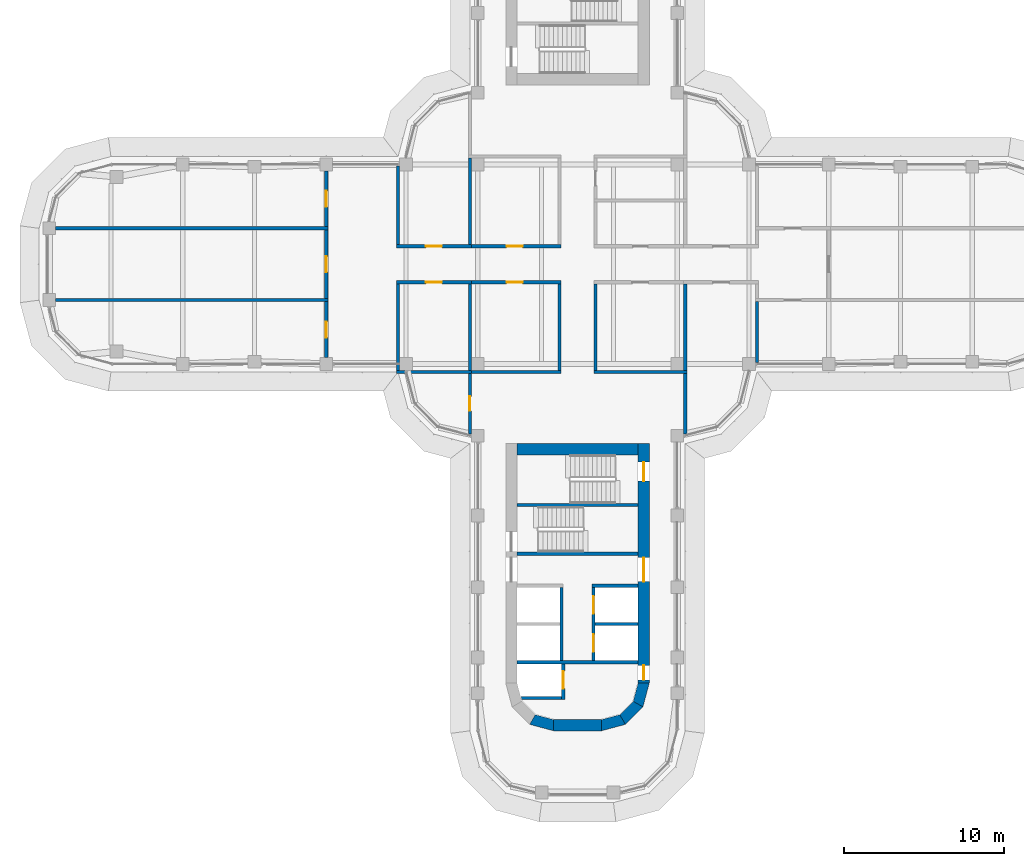
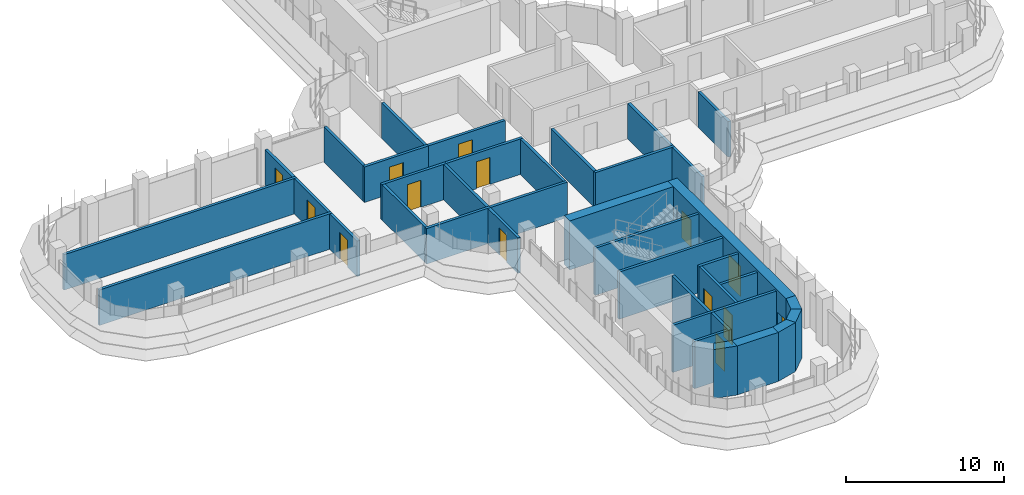
# One storey, part 14 of 20: 38 walls, 14 doors, 14 openings.
"""IFC4 building model written with IfcOpenShell, lengths in metres."""

from ifc_helpers import new_model, si_unit, direction, frame, frame_2d, origin, place, context, subcontext, project, spatial, polyline, rectangle, outline, extrude, material, layer, layer_set, type_object, element, fill, save


model = new_model("IFC4")

# Units and contexts
model_context = context("Model", 3, precision=1e-05, world=origin(), true_north=direction((0.0, 1.0)))
body_context = subcontext(model_context, "Body", "Model", "MODEL_VIEW")
ifc_project = project(units=[si_unit("LENGTHUNIT", "METRE"), si_unit("AREAUNIT", "SQUARE_METRE"), si_unit("VOLUMEUNIT", "CUBIC_METRE"), si_unit("PLANEANGLEUNIT", "RADIAN"), si_unit("MASSUNIT", "GRAM", prefix="KILO")], contexts=[model_context])

# Site, building, storey
site_placement = place(None, origin())
site = spatial("IfcSite", under=ifc_project, at=site_placement, CompositionType="ELEMENT")
building_placement = place(site_placement, origin())
building = spatial("IfcBuilding", under=site, at=building_placement, Name="Zarbagh Exchange Tower", CompositionType="ELEMENT")
storey_placement = place(building_placement, frame((0.0, 0.0, 141.0)))
storey = spatial("IfcBuildingStorey", under=building, at=storey_placement, Name="L33", CompositionType="ELEMENT", Elevation=141.0)

# Wall, opening, door
ifc_material_1 = material(Name="Fire-rated plasterboard partition")
ifc_layer_1 = layer(ifc_material_1, 0.199951171875)
ifc_layer_set_1 = layer_set([ifc_layer_1], Name="RATED PARTITION 200")
wall_type_1 = type_object("IfcWallType", Name="RATED PARTITION 200", PredefinedType="PARTITIONING", material=ifc_layer_set_1)
wall_1_placement = place(storey_placement, frame((-6.85009765625, 1.125, 0.0), z_axis=(0.0, 0.0, 1.0), x_axis=(1.0, 0.0, 0.0)))
wall_1 = element("IfcWall", 1, at=wall_1_placement, inside=storey, type_object=wall_type_1, Name="Partition W-1403", PredefinedType="PARTITIONING", context=body_context, shape_type="SweptSolid", body=[
    extrude(rectangle(XDim=5.8251953125, YDim=0.199951171875, at=frame_2d((2.91259765625, 0.0))), origin(), (0.0, 0.0, 1.0), 2.75),
])
opening_1_placement = place(wall_1_placement, frame((2.41259765625, 0.0, 0.0)))
opening_1 = element("IfcOpeningElement", 2, at=opening_1_placement, cuts=wall_1, Name="Opening D-1407", PredefinedType="OPENING", context=body_context, shape_type="SweptSolid", body=[
    extrude(rectangle(XDim=1.0, YDim=2.10009765625, at=frame_2d((0.5, 1.050048828125))), frame((0.0, 0.10986328125, 0.0), z_axis=(0.0, -1.0, 0.0), x_axis=(1.0, 0.0, 0.0)), (0.0, 0.0, 1.0), 0.219970703125),
])
ifc_material_2 = material(Name="Steel door set", Category="steel")
door_type_1 = type_object("IfcDoorType", Name="FIRE DOOR 1000 X 2100 FD30S", OperationType="NOTDEFINED", PredefinedType="DOOR", material=ifc_material_2)
door_1_placement = place(opening_1_placement, origin())
door_1 = element("IfcDoor", 3, at=door_1_placement, inside=storey, type_object=door_type_1, Name="Door D-1407", OperationType="SINGLE_SWING_RIGHT", OverallHeight=2.10009765625, OverallWidth=1.0, PredefinedType="DOOR", context=body_context, shape_type="SweptSolid", body=[
    extrude(rectangle(XDim=1.0, YDim=2.10009765625, at=frame_2d((0.5, 1.050048828125))), frame((0.0, 0.02490234375, 0.0), z_axis=(0.0, -1.0, 0.0), x_axis=(1.0, 0.0, 0.0)), (0.0, 0.0, 1.0), 0.050048828125),
])
fill(opening_1, door_1)

wall_2_placement = place(storey_placement, frame((-11.35009765625, 1.125, 0.0), z_axis=(0.0, 0.0, 1.0), x_axis=(1.0, 0.0, 0.0)))
wall_2 = element("IfcWall", 4, at=wall_2_placement, inside=storey, type_object=wall_type_1, Name="Partition W-1404", PredefinedType="PARTITIONING", context=body_context, shape_type="SweptSolid", body=[
    extrude(rectangle(XDim=4.7001953125, YDim=0.199951171875, at=frame_2d((2.35009765625, 0.0))), origin(), (0.0, 0.0, 1.0), 2.75),
])
opening_2_placement = place(wall_2_placement, frame((1.85009765625, 0.0, 0.0)))
opening_2 = element("IfcOpeningElement", 5, at=opening_2_placement, cuts=wall_2, Name="Opening D-1408", PredefinedType="OPENING", context=body_context, shape_type="SweptSolid", body=[
    extrude(rectangle(XDim=1.0, YDim=2.10009765625, at=frame_2d((0.5, 1.050048828125))), frame((0.0, 0.10986328125, 0.0), z_axis=(0.0, -1.0, 0.0), x_axis=(1.0, 0.0, 0.0)), (0.0, 0.0, 1.0), 0.219970703125),
])
door_2_placement = place(opening_2_placement, origin())
door_2 = element("IfcDoor", 6, at=door_2_placement, inside=storey, type_object=door_type_1, Name="Door D-1408", OperationType="SINGLE_SWING_RIGHT", OverallHeight=2.10009765625, OverallWidth=1.0, PredefinedType="DOOR", context=body_context, shape_type="SweptSolid", body=[
    extrude(rectangle(XDim=1.0, YDim=2.10009765625, at=frame_2d((0.5, 1.050048828125))), frame((0.0, 0.02490234375, 0.0), z_axis=(0.0, -1.0, 0.0), x_axis=(1.0, 0.0, 0.0)), (0.0, 0.0, 1.0), 0.050048828125),
])
fill(opening_2, door_2)

wall_3_placement = place(storey_placement, frame((-1.02490234375, -1.125, 0.0), z_axis=(0.0, 0.0, 1.0), x_axis=(-1.0, 0.0, 0.0)))
wall_3 = element("IfcWall", 7, at=wall_3_placement, inside=storey, type_object=wall_type_1, Name="Partition W-1407", PredefinedType="PARTITIONING", context=body_context, shape_type="SweptSolid", body=[
    extrude(rectangle(XDim=5.8251953125, YDim=0.199951171875, at=frame_2d((2.91259765625, 0.0))), origin(), (0.0, 0.0, 1.0), 2.75),
])
opening_3_placement = place(wall_3_placement, frame((2.41259765625, 0.0, 0.0)))
opening_3 = element("IfcOpeningElement", 8, at=opening_3_placement, cuts=wall_3, Name="Opening D-1411", PredefinedType="OPENING", context=body_context, shape_type="SweptSolid", body=[
    extrude(rectangle(XDim=1.0, YDim=2.10009765625, at=frame_2d((0.5, 1.050048828125))), frame((0.0, 0.10986328125, 0.0), z_axis=(0.0, -1.0, 0.0), x_axis=(1.0, 0.0, 0.0)), (0.0, 0.0, 1.0), 0.219970703125),
])
door_3_placement = place(opening_3_placement, origin())
door_3 = element("IfcDoor", 9, at=door_3_placement, inside=storey, type_object=door_type_1, Name="Door D-1411", OperationType="SINGLE_SWING_RIGHT", OverallHeight=2.10009765625, OverallWidth=1.0, PredefinedType="DOOR", context=body_context, shape_type="SweptSolid", body=[
    extrude(rectangle(XDim=1.0, YDim=2.10009765625, at=frame_2d((0.5, 1.050048828125))), frame((0.0, 0.02490234375, 0.0), z_axis=(0.0, -1.0, 0.0), x_axis=(1.0, 0.0, 0.0)), (0.0, 0.0, 1.0), 0.050048828125),
])
fill(opening_3, door_3)

wall_4_placement = place(storey_placement, frame((-6.64990234375, -1.125, 0.0), z_axis=(0.0, 0.0, 1.0), x_axis=(-1.0, 0.0, 0.0)))
wall_4 = element("IfcWall", 10, at=wall_4_placement, inside=storey, type_object=wall_type_1, Name="Partition W-1408", PredefinedType="PARTITIONING", context=body_context, shape_type="SweptSolid", body=[
    extrude(rectangle(XDim=4.7001953125, YDim=0.199951171875, at=frame_2d((2.35009765625, 0.0))), origin(), (0.0, 0.0, 1.0), 2.75),
])
opening_4_placement = place(wall_4_placement, frame((1.85009765625, 0.0, 0.0)))
opening_4 = element("IfcOpeningElement", 11, at=opening_4_placement, cuts=wall_4, Name="Opening D-1412", PredefinedType="OPENING", context=body_context, shape_type="SweptSolid", body=[
    extrude(rectangle(XDim=1.0, YDim=2.10009765625, at=frame_2d((0.5, 1.050048828125))), frame((0.0, 0.10986328125, 0.0), z_axis=(0.0, -1.0, 0.0), x_axis=(1.0, 0.0, 0.0)), (0.0, 0.0, 1.0), 0.219970703125),
])
door_4_placement = place(opening_4_placement, origin())
door_4 = element("IfcDoor", 12, at=door_4_placement, inside=storey, type_object=door_type_1, Name="Door D-1412", OperationType="SINGLE_SWING_RIGHT", OverallHeight=2.10009765625, OverallWidth=1.0, PredefinedType="DOOR", context=body_context, shape_type="SweptSolid", body=[
    extrude(rectangle(XDim=1.0, YDim=2.10009765625, at=frame_2d((0.5, 1.050048828125))), frame((0.0, 0.02490234375, 0.0), z_axis=(0.0, -1.0, 0.0), x_axis=(1.0, 0.0, 0.0)), (0.0, 0.0, 1.0), 0.050048828125),
])
fill(opening_4, door_4)

# Walls
for number, where, z_axis, x_axis, name in (
    (13, (1.125, -6.64990234375, 0.0), (0.0, 0.0, 1.0), (0.0, 1.0, 0.0), "Partition W-1412"),
    (14, (-1.125, -6.64990234375, 0.0), (0.0, 0.0, 1.0), (0.0, 1.0, 0.0), "Partition W-1413"),
):
    element("IfcWall", number, at=place(storey_placement, frame(where, z_axis=z_axis, x_axis=x_axis)), inside=storey, type_object=wall_type_1, Name=name, PredefinedType="PARTITIONING", context=body_context, shape_type="SweptSolid", body=[
        extrude(rectangle(XDim=5.4248046875, YDim=0.199951171875, at=frame_2d((2.71240234375, 0.0))), origin(), (0.0, 0.0, 1.0), 2.75),
    ])
wall_5_placement = place(storey_placement, frame((1.02490234375, -6.75, 0.0), z_axis=(0.0, 0.0, 1.0), x_axis=(1.0, 0.0, 0.0)))
element("IfcWall", 15, at=wall_5_placement, inside=storey, type_object=wall_type_1, Name="Partition W-1418", PredefinedType="PARTITIONING", context=body_context, shape_type="SweptSolid", body=[
    extrude(rectangle(XDim=5.8251953125, YDim=0.199951171875, at=frame_2d((2.91259765625, 0.0))), origin(), (0.0, 0.0, 1.0), 2.75),
])
wall_6_placement = place(storey_placement, frame((6.75, -10.6298828125, 0.0), z_axis=(0.0, 0.0, 1.0), x_axis=(0.0, 1.0, 0.0)))
element("IfcWall", 16, at=wall_6_placement, inside=storey, type_object=wall_type_1, Name="Partition W-1419", PredefinedType="PARTITIONING", context=body_context, shape_type="SweptSolid", body=[
    extrude(rectangle(XDim=3.77978515625, YDim=0.199951171875, at=frame_2d((1.889892578125, 0.0))), origin(), (0.0, 0.0, 1.0), 2.75),
])
wall_7_placement = place(storey_placement, frame((-6.85009765625, -6.75, 0.0), z_axis=(0.0, 0.0, 1.0), x_axis=(1.0, 0.0, 0.0)))
element("IfcWall", 17, at=wall_7_placement, inside=storey, type_object=wall_type_1, Name="Partition W-1420", PredefinedType="PARTITIONING", context=body_context, shape_type="SweptSolid", body=[
    extrude(rectangle(XDim=5.8251953125, YDim=0.199951171875, at=frame_2d((2.91259765625, 0.0))), origin(), (0.0, 0.0, 1.0), 2.75),
])

# Wall, opening, door
wall_8_placement = place(storey_placement, frame((-6.75, -10.6298828125, 0.0), z_axis=(0.0, 0.0, 1.0), x_axis=(0.0, 1.0, 0.0)))
wall_8 = element("IfcWall", 18, at=wall_8_placement, inside=storey, type_object=wall_type_1, Name="Partition W-1421", PredefinedType="PARTITIONING", context=body_context, shape_type="SweptSolid", body=[
    extrude(rectangle(XDim=3.77978515625, YDim=0.199951171875, at=frame_2d((1.889892578125, 0.0))), origin(), (0.0, 0.0, 1.0), 2.75),
])
opening_5_placement = place(wall_8_placement, frame((1.43994140625, 0.0, 0.0)))
opening_5 = element("IfcOpeningElement", 19, at=opening_5_placement, cuts=wall_8, Name="Opening D-1413", PredefinedType="OPENING", context=body_context, shape_type="SweptSolid", body=[
    extrude(rectangle(XDim=0.89990234375, YDim=2.10009765625, at=frame_2d((0.449951171875, 1.050048828125))), frame((0.0, 0.10986328125, 0.0), z_axis=(0.0, -1.0, 0.0), x_axis=(1.0, 0.0, 0.0)), (0.0, 0.0, 1.0), 0.219970703125),
])
ifc_material_3 = material(Name="Timber door leaf", Category="wood")
door_type_2 = type_object("IfcDoorType", Name="DOOR 900 X 2100", OperationType="NOTDEFINED", PredefinedType="DOOR", material=ifc_material_3)
door_5_placement = place(opening_5_placement, origin())
door_5 = element("IfcDoor", 20, at=door_5_placement, inside=storey, type_object=door_type_2, Name="Door D-1413", OperationType="SINGLE_SWING_RIGHT", OverallHeight=2.10009765625, OverallWidth=0.89990234375, PredefinedType="DOOR", context=body_context, shape_type="SweptSolid", body=[
    extrude(rectangle(XDim=0.89990234375, YDim=2.10009765625, at=frame_2d((0.449951171875, 1.050048828125))), frame((0.0, 0.02490234375, 0.0), z_axis=(0.0, -1.0, 0.0), x_axis=(1.0, 0.0, 0.0)), (0.0, 0.0, 1.0), 0.050048828125),
])
fill(opening_5, door_5)

# Walls
wall_9_placement = place(storey_placement, frame((-6.75, 1.22509765625, 0.0), z_axis=(0.0, 0.0, 1.0), x_axis=(0.0, 1.0, 0.0)))
element("IfcWall", 21, at=wall_9_placement, inside=storey, type_object=wall_type_1, Name="Partition W-1427", PredefinedType="PARTITIONING", context=body_context, shape_type="SweptSolid", body=[
    extrude(rectangle(XDim=5.4248046875, YDim=0.199951171875, at=frame_2d((2.71240234375, 0.0))), origin(), (0.0, 0.0, 1.0), 2.75),
])
wall_10_placement = place(storey_placement, frame((-11.25, 1.22509765625, 0.0), z_axis=(0.0, 0.0, 1.0), x_axis=(0.0, 1.0, 0.0)))
element("IfcWall", 22, at=wall_10_placement, inside=storey, type_object=wall_type_1, Name="Partition W-1428", PredefinedType="PARTITIONING", context=body_context, shape_type="SweptSolid", body=[
    extrude(rectangle(XDim=4.94482421875, YDim=0.199951171875, at=frame_2d((2.472412109375, 0.0))), origin(), (0.0, 0.0, 1.0), 2.75),
])
wall_11_placement = place(storey_placement, frame((6.75, -6.64990234375, 0.0), z_axis=(0.0, 0.0, 1.0), x_axis=(0.0, 1.0, 0.0)))
element("IfcWall", 23, at=wall_11_placement, inside=storey, type_object=wall_type_1, Name="Partition W-1429", PredefinedType="PARTITIONING", context=body_context, shape_type="SweptSolid", body=[
    extrude(rectangle(XDim=5.4248046875, YDim=0.199951171875, at=frame_2d((2.71240234375, 0.0))), origin(), (0.0, 0.0, 1.0), 2.75),
])
wall_12_placement = place(storey_placement, frame((11.25, -6.169921875, 0.0), z_axis=(0.0, 0.0, 1.0), x_axis=(0.0, 1.0, 0.0)))
element("IfcWall", 24, at=wall_12_placement, inside=storey, type_object=wall_type_1, Name="Partition W-1431", PredefinedType="PARTITIONING", context=body_context, shape_type="SweptSolid", body=[
    extrude(rectangle(XDim=3.81982421875, YDim=0.199951171875, at=frame_2d((1.909912109375, 0.0))), origin(), (0.0, 0.0, 1.0), 2.75),
])
wall_13_placement = place(storey_placement, frame((-6.75, -6.64990234375, 0.0), z_axis=(0.0, 0.0, 1.0), x_axis=(0.0, 1.0, 0.0)))
element("IfcWall", 25, at=wall_13_placement, inside=storey, type_object=wall_type_1, Name="Partition W-1432", PredefinedType="PARTITIONING", context=body_context, shape_type="SweptSolid", body=[
    extrude(rectangle(XDim=5.4248046875, YDim=0.199951171875, at=frame_2d((2.71240234375, 0.0))), origin(), (0.0, 0.0, 1.0), 2.75),
])
wall_14_placement = place(storey_placement, frame((-11.35009765625, -6.75, 0.0), z_axis=(0.0, 0.0, 1.0), x_axis=(1.0, 0.0, 0.0)))
element("IfcWall", 26, at=wall_14_placement, inside=storey, type_object=wall_type_1, Name="Partition W-1433", PredefinedType="PARTITIONING", context=body_context, shape_type="SweptSolid", body=[
    extrude(rectangle(XDim=4.7001953125, YDim=0.199951171875, at=frame_2d((2.35009765625, 0.0))), origin(), (0.0, 0.0, 1.0), 2.75),
])
wall_15_placement = place(storey_placement, frame((-11.25, -6.64990234375, 0.0), z_axis=(0.0, 0.0, 1.0), x_axis=(0.0, 1.0, 0.0)))
element("IfcWall", 27, at=wall_15_placement, inside=storey, type_object=wall_type_1, Name="Partition W-1434", PredefinedType="PARTITIONING", context=body_context, shape_type="SweptSolid", body=[
    extrude(rectangle(XDim=5.4248046875, YDim=0.199951171875, at=frame_2d((2.71240234375, 0.0))), origin(), (0.0, 0.0, 1.0), 2.75),
])

# Wall, opening, door
wall_16_placement = place(storey_placement, frame((-15.75, -5.85009765625, 0.0), z_axis=(0.0, 0.0, 1.0), x_axis=(0.0, 1.0, 0.0)))
wall_16 = element("IfcWall", 28, at=wall_16_placement, inside=storey, type_object=wall_type_1, Name="Partition W-1442", PredefinedType="PARTITIONING", context=body_context, shape_type="SweptSolid", body=[
    extrude(rectangle(XDim=3.5, YDim=0.199951171875, at=frame_2d((1.75, 0.0))), origin(), (0.0, 0.0, 1.0), 2.75),
])
opening_6_placement = place(wall_16_placement, frame((1.25, 0.0, 0.0)))
opening_6 = element("IfcOpeningElement", 29, at=opening_6_placement, cuts=wall_16, Name="Opening D-1414", PredefinedType="OPENING", context=body_context, shape_type="SweptSolid", body=[
    extrude(rectangle(XDim=1.0, YDim=2.10009765625, at=frame_2d((0.5, 1.050048828125))), frame((0.0, 0.10986328125, 0.0), z_axis=(0.0, -1.0, 0.0), x_axis=(1.0, 0.0, 0.0)), (0.0, 0.0, 1.0), 0.219970703125),
])
door_6_placement = place(opening_6_placement, origin())
door_6 = element("IfcDoor", 30, at=door_6_placement, inside=storey, type_object=door_type_1, Name="Door D-1414", OperationType="SINGLE_SWING_RIGHT", OverallHeight=2.10009765625, OverallWidth=1.0, PredefinedType="DOOR", context=body_context, shape_type="SweptSolid", body=[
    extrude(rectangle(XDim=1.0, YDim=2.10009765625, at=frame_2d((0.5, 1.050048828125))), frame((0.0, 0.02490234375, 0.0), z_axis=(0.0, -1.0, 0.0), x_axis=(1.0, 0.0, 0.0)), (0.0, 0.0, 1.0), 0.050048828125),
])
fill(opening_6, door_6)

wall_17_placement = place(storey_placement, frame((-15.75, -2.14990234375, 0.0), z_axis=(0.0, 0.0, 1.0), x_axis=(0.0, 1.0, 0.0)))
wall_17 = element("IfcWall", 31, at=wall_17_placement, inside=storey, type_object=wall_type_1, Name="Partition W-1443", PredefinedType="PARTITIONING", context=body_context, shape_type="SweptSolid", body=[
    extrude(rectangle(XDim=4.2998046875, YDim=0.199951171875, at=frame_2d((2.14990234375, 0.0))), origin(), (0.0, 0.0, 1.0), 2.75),
])
opening_7_placement = place(wall_17_placement, frame((1.64990234375, 0.0, 0.0)))
opening_7 = element("IfcOpeningElement", 32, at=opening_7_placement, cuts=wall_17, Name="Opening D-1415", PredefinedType="OPENING", context=body_context, shape_type="SweptSolid", body=[
    extrude(rectangle(XDim=1.0, YDim=2.10009765625, at=frame_2d((0.5, 1.050048828125))), frame((0.0, 0.10986328125, 0.0), z_axis=(0.0, -1.0, 0.0), x_axis=(1.0, 0.0, 0.0)), (0.0, 0.0, 1.0), 0.219970703125),
])
door_7_placement = place(opening_7_placement, origin())
door_7 = element("IfcDoor", 33, at=door_7_placement, inside=storey, type_object=door_type_1, Name="Door D-1415", OperationType="SINGLE_SWING_RIGHT", OverallHeight=2.10009765625, OverallWidth=1.0, PredefinedType="DOOR", context=body_context, shape_type="SweptSolid", body=[
    extrude(rectangle(XDim=1.0, YDim=2.10009765625, at=frame_2d((0.5, 1.050048828125))), frame((0.0, 0.02490234375, 0.0), z_axis=(0.0, -1.0, 0.0), x_axis=(1.0, 0.0, 0.0)), (0.0, 0.0, 1.0), 0.050048828125),
])
fill(opening_7, door_7)

wall_18_placement = place(storey_placement, frame((-15.75, 2.35009765625, 0.0), z_axis=(0.0, 0.0, 1.0), x_axis=(0.0, 1.0, 0.0)))
wall_18 = element("IfcWall", 34, at=wall_18_placement, inside=storey, type_object=wall_type_1, Name="Partition W-1444", PredefinedType="PARTITIONING", context=body_context, shape_type="SweptSolid", body=[
    extrude(rectangle(XDim=3.5, YDim=0.199951171875, at=frame_2d((1.75, 0.0))), origin(), (0.0, 0.0, 1.0), 2.75),
])
opening_8_placement = place(wall_18_placement, frame((1.25, 0.0, 0.0)))
opening_8 = element("IfcOpeningElement", 35, at=opening_8_placement, cuts=wall_18, Name="Opening D-1416", PredefinedType="OPENING", context=body_context, shape_type="SweptSolid", body=[
    extrude(rectangle(XDim=1.0, YDim=2.10009765625, at=frame_2d((0.5, 1.050048828125))), frame((0.0, 0.10986328125, 0.0), z_axis=(0.0, -1.0, 0.0), x_axis=(1.0, 0.0, 0.0)), (0.0, 0.0, 1.0), 0.219970703125),
])
door_8_placement = place(opening_8_placement, origin())
door_8 = element("IfcDoor", 36, at=door_8_placement, inside=storey, type_object=door_type_1, Name="Door D-1416", OperationType="SINGLE_SWING_LEFT", OverallHeight=2.10009765625, OverallWidth=1.0, PredefinedType="DOOR", context=body_context, shape_type="SweptSolid", body=[
    extrude(rectangle(XDim=1.0, YDim=2.10009765625, at=frame_2d((0.5, 1.050048828125))), frame((0.0, 0.02490234375, 0.0), z_axis=(0.0, -1.0, 0.0), x_axis=(1.0, 0.0, 0.0)), (0.0, 0.0, 1.0), 0.050048828125),
])
fill(opening_8, door_8)

# Walls
for number, where, z_axis, x_axis, name in (
    (37, (-32.7099609375, -2.25, 0.0), (0.0, 0.0, 1.0), (1.0, 0.0, 0.0), "Partition W-1445"),
    (38, (-32.7099609375, 2.25, 0.0), (0.0, 0.0, 1.0), (1.0, 0.0, 0.0), "Partition W-1446"),
):
    element("IfcWall", number, at=place(storey_placement, frame(where, z_axis=z_axis, x_axis=x_axis)), inside=storey, type_object=wall_type_1, Name=name, PredefinedType="PARTITIONING", context=body_context, shape_type="SweptSolid", body=[
        extrude(rectangle(XDim=17.06005859375, YDim=0.199951171875, at=frame_2d((8.530029296875, 0.0))), origin(), (0.0, 0.0, 1.0), 2.75),
    ])
ifc_material_4 = material(Name="Concrete C50/60", Category="concrete")
ifc_layer_2 = layer(ifc_material_4, 0.699951171875)
ifc_layer_set_2 = layer_set([ifc_layer_2], Name="RC core corner wall 700 C50/60")
wall_type_2 = type_object("IfcWallType", Name="RC core corner wall 700 C50/60", PredefinedType="SHEAR", material=ifc_layer_set_2)
wall_19_placement = place(storey_placement, origin())
element("IfcWall", 39, at=wall_19_placement, inside=storey, type_object=wall_type_2, Name="CW6 core S corner W", PredefinedType="SHEAR", context=body_context, shape_type="SweptSolid", body=[
    extrude(outline(polyline([(-3.0, -28.84814453125), (-1.5, -29.25), (-1.5, -28.550048828125), (-2.64990234375, -28.241943359375), (-3.0, -28.84814453125)])), origin(), (0.0, 0.0, 1.0), 3.800048828125),
])
wall_20_placement = place(storey_placement, origin())
element("IfcWall", 40, at=wall_20_placement, inside=storey, type_object=wall_type_2, Name="CW6 core S corner E", PredefinedType="SHEAR", context=body_context, shape_type="SweptSolid", body=[
    extrude(outline(polyline([(4.5, -26.25), (4.09814453125, -27.75), (3.491943359375, -27.39990234375), (3.800048828125, -26.25), (4.5, -26.25)])), origin(), (0.0, 0.0, 1.0), 3.800048828125),
])
wall_21_placement = place(storey_placement, origin())
element("IfcWall", 41, at=wall_21_placement, inside=storey, type_object=wall_type_2, Name="CW6 core S corner E", PredefinedType="SHEAR", context=body_context, shape_type="SweptSolid", body=[
    extrude(outline(polyline([(4.09814453125, -27.75), (3.0, -28.84814453125), (2.64990234375, -28.241943359375), (3.491943359375, -27.39990234375), (4.09814453125, -27.75)])), origin(), (0.0, 0.0, 1.0), 3.800048828125),
])
wall_22_placement = place(storey_placement, origin())
element("IfcWall", 42, at=wall_22_placement, inside=storey, type_object=wall_type_2, Name="CW6 core S corner E", PredefinedType="SHEAR", context=body_context, shape_type="SweptSolid", body=[
    extrude(outline(polyline([(3.0, -28.84814453125), (1.5, -29.25), (1.5, -28.550048828125), (2.64990234375, -28.241943359375), (3.0, -28.84814453125)])), origin(), (0.0, 0.0, 1.0), 3.800048828125),
])

# Wall, openings, doors
ifc_layer_3 = layer(ifc_material_4, 0.699951171875)
ifc_layer_set_3 = layer_set([ifc_layer_3], Name="RC core wall 700 C50/60")
wall_type_3 = type_object("IfcWallType", Name="RC core wall 700 C50/60", PredefinedType="SHEAR", material=ifc_layer_set_3)
wall_23_placement = place(storey_placement, frame((4.14990234375, -11.25, 0.0), z_axis=(0.0, 0.0, 1.0), x_axis=(0.0, -1.0, 0.0)))
wall_23 = element("IfcWall", 43, at=wall_23_placement, inside=storey, type_object=wall_type_3, Name="CW5 core S E", PredefinedType="SHEAR", context=body_context, shape_type="SweptSolid", body=[
    extrude(rectangle(XDim=15.0, YDim=0.699951171875, at=frame_2d((7.5, 0.0))), origin(), (0.0, 0.0, 1.0), 3.800048828125),
])
opening_9_placement = place(wall_23_placement, frame((7.14990234375, 0.0, 0.0)))
opening_9 = element("IfcOpeningElement", 44, at=opening_9_placement, cuts=wall_23, Name="Opening CD1-1500", PredefinedType="OPENING", context=body_context, shape_type="SweptSolid", body=[
    extrude(rectangle(XDim=1.5, YDim=2.300048828125, at=frame_2d((0.75, 1.14990234375))), frame((0.0, 0.35986328125, 0.0), z_axis=(0.0, -1.0, 0.0), x_axis=(1.0, 0.0, 0.0)), (0.0, 0.0, 1.0), 0.719970703125),
])
opening_10_placement = place(wall_23_placement, frame((13.89990234375, 0.0, 0.0)))
opening_10 = element("IfcOpeningElement", 45, at=opening_10_placement, cuts=wall_23, Name="Opening CD2-900", PredefinedType="OPENING", context=body_context, shape_type="SweptSolid", body=[
    extrude(rectangle(XDim=0.89990234375, YDim=2.10009765625, at=frame_2d((0.449951171875, 1.050048828125))), frame((0.0, 0.35986328125, 0.0), z_axis=(0.0, -1.0, 0.0), x_axis=(1.0, 0.0, 0.0)), (0.0, 0.0, 1.0), 0.719970703125),
])
opening_11_placement = place(wall_23_placement, frame((1.14990234375, 0.0, 0.0)))
opening_11 = element("IfcOpeningElement", 46, at=opening_11_placement, cuts=wall_23, Name="Opening SD1-1200", PredefinedType="OPENING", context=body_context, shape_type="SweptSolid", body=[
    extrude(rectangle(XDim=1.199951171875, YDim=2.10009765625, at=frame_2d((0.60009765625, 1.050048828125))), frame((0.0, 0.35986328125, 0.0), z_axis=(0.0, -1.0, 0.0), x_axis=(1.0, 0.0, 0.0)), (0.0, 0.0, 1.0), 0.719970703125),
])
ifc_material_5 = material(Name="Steel", Category="steel")
door_type_3 = type_object("IfcDoorType", Name="Exit stair door 1200 x 2100", OperationType="NOTDEFINED", PredefinedType="DOOR", material=ifc_material_5)
door_9_placement = place(opening_11_placement, origin())
door_9 = element("IfcDoor", 47, at=door_9_placement, inside=storey, type_object=door_type_3, Name="South core stair door ST2", OperationType="SINGLE_SWING_LEFT", OverallHeight=2.10009765625, OverallWidth=1.199951171875, PredefinedType="DOOR", context=body_context, shape_type="SweptSolid", body=[
    extrude(rectangle(XDim=1.199951171875, YDim=2.10009765625, at=frame_2d((0.60009765625, 1.050048828125))), frame((0.0, 0.02490234375, 0.0), z_axis=(0.0, -1.0, 0.0), x_axis=(1.0, 0.0, 0.0)), (0.0, 0.0, 1.0), 0.050048828125),
])
fill(opening_11, door_9)
door_type_4 = type_object("IfcDoorType", Name="Firefighting lobby door 900 x 2100", OperationType="NOTDEFINED", PredefinedType="DOOR", material=ifc_material_5)
door_10_placement = place(opening_10_placement, origin())
door_10 = element("IfcDoor", 48, at=door_10_placement, inside=storey, type_object=door_type_4, Name="South core firefighting lobby door FF-W", OperationType="SINGLE_SWING_LEFT", OverallHeight=2.10009765625, OverallWidth=0.89990234375, PredefinedType="DOOR", context=body_context, shape_type="SweptSolid", body=[
    extrude(rectangle(XDim=0.89990234375, YDim=2.10009765625, at=frame_2d((0.449951171875, 1.050048828125))), frame((0.0, 0.02490234375, 0.0), z_axis=(0.0, -1.0, 0.0), x_axis=(1.0, 0.0, 0.0)), (0.0, 0.0, 1.0), 0.050048828125),
])
fill(opening_10, door_10)
door_type_5 = type_object("IfcDoorType", Name="Lift lobby double door 1500 x 2300", OperationType="NOTDEFINED", PredefinedType="DOOR", material=ifc_material_5)
door_11_placement = place(opening_9_placement, origin())
door_11 = element("IfcDoor", 49, at=door_11_placement, inside=storey, type_object=door_type_5, Name="South core lift lobby door LOBBY-W", OperationType="DOUBLE_DOOR_SINGLE_SWING", OverallHeight=2.300048828125, OverallWidth=1.5, PredefinedType="DOOR", context=body_context, shape_type="SweptSolid", body=[
    extrude(rectangle(XDim=1.5, YDim=2.300048828125, at=frame_2d((0.75, 1.14990234375))), frame((0.0, 0.02490234375, 0.0), z_axis=(0.0, -1.0, 0.0), x_axis=(1.0, 0.0, 0.0)), (0.0, 0.0, 1.0), 0.050048828125),
])
fill(opening_9, door_11)

# Walls
wall_24_placement = place(storey_placement, frame((-3.800048828125, -11.60009765625, 0.0), z_axis=(0.0, 0.0, 1.0), x_axis=(1.0, 0.0, 0.0)))
element("IfcWall", 50, at=wall_24_placement, inside=storey, type_object=wall_type_3, Name="CW5 core S inner end", PredefinedType="SHEAR", context=body_context, shape_type="SweptSolid", body=[
    extrude(rectangle(XDim=7.60009765625, YDim=0.699951171875, at=frame_2d((3.800048828125, 0.0))), origin(), (0.0, 0.0, 1.0), 3.800048828125),
])
wall_25_placement = place(storey_placement, frame((-1.5, -28.89990234375, 0.0), z_axis=(0.0, 0.0, 1.0), x_axis=(1.0, 0.0, 0.0)))
element("IfcWall", 51, at=wall_25_placement, inside=storey, type_object=wall_type_3, Name="CW5 core S outer end", PredefinedType="SHEAR", context=body_context, shape_type="SweptSolid", body=[
    extrude(rectangle(XDim=3.0, YDim=0.699951171875, at=frame_2d((1.5, 0.0))), origin(), (0.0, 0.0, 1.0), 3.800048828125),
])
ifc_material_6 = material(Name="Dense blockwork", Category="masonry")
ifc_layer_4 = layer(ifc_material_6, 0.199951171875)
ifc_layer_set_4 = layer_set([ifc_layer_4], Name="Shaft wall 200 mm blockwork")
wall_type_4 = type_object("IfcWallType", Name="Shaft wall 200 mm blockwork", PredefinedType="PARTITIONING", material=ifc_layer_set_4)
wall_26_placement = place(storey_placement, frame((3.800048828125, -20.14990234375, 0.0), z_axis=(0.0, 0.0, 1.0), x_axis=(-1.0, 0.0, 0.0)))
element("IfcWall", 52, at=wall_26_placement, inside=storey, type_object=wall_type_4, Name="South core shaft wall AB-W", PredefinedType="PARTITIONING", context=body_context, shape_type="SweptSolid", body=[
    extrude(rectangle(XDim=2.900146484375, YDim=0.199951171875, at=frame_2d((1.4501953125, 0.0))), origin(), (0.0, 0.0, 1.0), 3.64990234375),
])

# Wall, openings, doors
wall_27_placement = place(storey_placement, frame((1.0, -24.85009765625, 0.0), z_axis=(0.0, 0.0, 1.0), x_axis=(0.0, 1.0, 0.0)))
wall_27 = element("IfcWall", 53, at=wall_27_placement, inside=storey, type_object=wall_type_4, Name="South core shaft wall LW-W", PredefinedType="PARTITIONING", context=body_context, shape_type="SweptSolid", body=[
    extrude(rectangle(XDim=4.60009765625, YDim=0.199951171875, at=frame_2d((2.300048828125, 0.0))), origin(), (0.0, 0.0, 1.0), 3.64990234375),
])
opening_12_placement = place(wall_27_placement, frame((0.550048828125, 0.0, 0.0)))
opening_12 = element("IfcOpeningElement", 54, at=opening_12_placement, cuts=wall_27, Name="Opening LD-1100", PredefinedType="OPENING", context=body_context, shape_type="SweptSolid", body=[
    extrude(rectangle(XDim=1.10009765625, YDim=2.300048828125, at=frame_2d((0.550048828125, 1.14990234375))), frame((0.0, 0.10986328125, 0.0), z_axis=(0.0, -1.0, 0.0), x_axis=(1.0, 0.0, 0.0)), (0.0, 0.0, 1.0), 0.219970703125),
])
opening_13_placement = place(wall_27_placement, frame((2.949951171875, 0.0, 0.0)))
opening_13 = element("IfcOpeningElement", 55, at=opening_13_placement, cuts=wall_27, Name="Opening LD-1100", PredefinedType="OPENING", context=body_context, shape_type="SweptSolid", body=[
    extrude(rectangle(XDim=1.10009765625, YDim=2.300048828125, at=frame_2d((0.550048828125, 1.14990234375))), frame((0.0, 0.10986328125, 0.0), z_axis=(0.0, -1.0, 0.0), x_axis=(1.0, 0.0, 0.0)), (0.0, 0.0, 1.0), 0.219970703125),
])
ifc_material_7 = material(Name="Stainless steel", Category="steel")
door_type_6 = type_object("IfcDoorType", Name="Lift landing door 1100 x 2300", OperationType="NOTDEFINED", PredefinedType="DOOR", material=ifc_material_7)
door_12_placement = place(opening_12_placement, origin())
door_12 = element("IfcDoor", 56, at=door_12_placement, inside=storey, type_object=door_type_6, Name="South core lift landing door LD-P-S1", OperationType="DOUBLE_DOOR_SLIDING", OverallHeight=2.300048828125, OverallWidth=1.10009765625, PredefinedType="DOOR", context=body_context, shape_type="SweptSolid", body=[
    extrude(rectangle(XDim=1.10009765625, YDim=2.300048828125, at=frame_2d((0.550048828125, 1.14990234375))), frame((0.0, 0.02490234375, 0.0), z_axis=(0.0, -1.0, 0.0), x_axis=(1.0, 0.0, 0.0)), (0.0, 0.0, 1.0), 0.050048828125),
])
fill(opening_12, door_12)
door_13_placement = place(opening_13_placement, origin())
door_13 = element("IfcDoor", 57, at=door_13_placement, inside=storey, type_object=door_type_6, Name="South core lift landing door LD-P-S2", OperationType="DOUBLE_DOOR_SLIDING", OverallHeight=2.300048828125, OverallWidth=1.10009765625, PredefinedType="DOOR", context=body_context, shape_type="SweptSolid", body=[
    extrude(rectangle(XDim=1.10009765625, YDim=2.300048828125, at=frame_2d((0.550048828125, 1.14990234375))), frame((0.0, 0.02490234375, 0.0), z_axis=(0.0, -1.0, 0.0), x_axis=(1.0, 0.0, 0.0)), (0.0, 0.0, 1.0), 0.050048828125),
])
fill(opening_13, door_13)

# Walls
wall_28_placement = place(storey_placement, frame((-1.0, -24.85009765625, 0.0), z_axis=(0.0, 0.0, 1.0), x_axis=(0.0, 1.0, 0.0)))
element("IfcWall", 58, at=wall_28_placement, inside=storey, type_object=wall_type_4, Name="South core shaft wall LW-E", PredefinedType="PARTITIONING", context=body_context, shape_type="SweptSolid", body=[
    extrude(rectangle(XDim=4.60009765625, YDim=0.199951171875, at=frame_2d((2.300048828125, 0.0))), origin(), (0.0, 0.0, 1.0), 3.64990234375),
])
wall_29_placement = place(storey_placement, frame((3.800048828125, -22.550048828125, 0.0), z_axis=(0.0, 0.0, 1.0), x_axis=(-1.0, 0.0, 0.0)))
element("IfcWall", 59, at=wall_29_placement, inside=storey, type_object=wall_type_4, Name="South core shaft wall TR-W", PredefinedType="PARTITIONING", context=body_context, shape_type="SweptSolid", body=[
    extrude(rectangle(XDim=2.699951171875, YDim=0.199951171875, at=frame_2d((1.35009765625, 0.0))), origin(), (0.0, 0.0, 1.0), 3.64990234375),
])
ifc_material_8 = material(Name="Concrete C40/50", Category="concrete")
ifc_layer_5 = layer(ifc_material_8, 0.199951171875)
ifc_layer_set_5 = layer_set([ifc_layer_5], Name="Stair enclosure wall 200 mm RC C40/50")
wall_type_5 = type_object("IfcWallType", Name="Stair enclosure wall 200 mm RC C40/50", PredefinedType="SHEAR", material=ifc_layer_set_5)
wall_30_placement = place(storey_placement, frame((3.800048828125, -24.949951171875, 0.0), z_axis=(0.0, 0.0, 1.0), x_axis=(-1.0, 0.0, 0.0)))
element("IfcWall", 60, at=wall_30_placement, inside=storey, type_object=wall_type_5, Name="South core lift shaft wall FFA", PredefinedType="SHEAR", context=body_context, shape_type="SweptSolid", body=[
    extrude(rectangle(XDim=7.60009765625, YDim=0.199951171875, at=frame_2d((3.800048828125, 0.0))), origin(), (0.0, 0.0, 1.0), 3.64990234375),
])

# Wall, opening, door
wall_31_placement = place(storey_placement, frame((-0.89990234375, -27.300048828125, 0.0), z_axis=(0.0, 0.0, 1.0), x_axis=(0.0, 1.0, 0.0)))
wall_31 = element("IfcWall", 61, at=wall_31_placement, inside=storey, type_object=wall_type_5, Name="South core lift shaft wall FFL", PredefinedType="SHEAR", context=body_context, shape_type="SweptSolid", body=[
    extrude(rectangle(XDim=2.25, YDim=0.199951171875, at=frame_2d((1.125, 0.0))), origin(), (0.0, 0.0, 1.0), 3.64990234375),
])
opening_14_placement = place(wall_31_placement, frame((0.699951171875, 0.0, 0.0)))
opening_14 = element("IfcOpeningElement", 62, at=opening_14_placement, cuts=wall_31, Name="Opening LD-1100", PredefinedType="OPENING", context=body_context, shape_type="SweptSolid", body=[
    extrude(rectangle(XDim=1.10009765625, YDim=2.300048828125, at=frame_2d((0.550048828125, 1.14990234375))), frame((0.0, 0.10986328125, 0.0), z_axis=(0.0, -1.0, 0.0), x_axis=(1.0, 0.0, 0.0)), (0.0, 0.0, 1.0), 0.219970703125),
])
door_14_placement = place(opening_14_placement, origin())
door_14 = element("IfcDoor", 63, at=door_14_placement, inside=storey, type_object=door_type_6, Name="South core lift landing door LD-F", OperationType="DOUBLE_DOOR_SLIDING", OverallHeight=2.300048828125, OverallWidth=1.10009765625, PredefinedType="DOOR", context=body_context, shape_type="SweptSolid", body=[
    extrude(rectangle(XDim=1.10009765625, YDim=2.300048828125, at=frame_2d((0.550048828125, 1.14990234375))), frame((0.0, 0.02490234375, 0.0), z_axis=(0.0, -1.0, 0.0), x_axis=(1.0, 0.0, 0.0)), (0.0, 0.0, 1.0), 0.050048828125),
])
fill(opening_14, door_14)

# Walls
wall_32_placement = place(storey_placement, origin())
element("IfcWall", 64, at=wall_32_placement, inside=storey, type_object=wall_type_5, Name="South core lift shaft wall FFX", PredefinedType="SHEAR", context=body_context, shape_type="SweptSolid", body=[
    extrude(outline(polyline([(-1.0, -27.10009765625), (-3.547607421875, -27.10009765625), (-3.493896484375, -27.300048828125), (-1.0, -27.300048828125), (-1.0, -27.10009765625)])), origin(), (0.0, 0.0, 1.0), 3.64990234375),
])
for number, where, z_axis, x_axis, name in (
    (65, (3.800048828125, -18.14990234375, 0.0), (0.0, 0.0, 1.0), (-1.0, 0.0, 0.0), "South core stair wall BS"),
    (66, (3.800048828125, -15.10009765625, 0.0), (0.0, 0.0, 1.0), (-1.0, 0.0, 0.0), "South core stair wall ST12"),
):
    element("IfcWall", number, at=place(storey_placement, frame(where, z_axis=z_axis, x_axis=x_axis)), inside=storey, type_object=wall_type_5, Name=name, PredefinedType="SHEAR", context=body_context, shape_type="SweptSolid", body=[
        extrude(rectangle(XDim=7.60009765625, YDim=0.199951171875, at=frame_2d((3.800048828125, 0.0))), origin(), (0.0, 0.0, 1.0), 3.64990234375),
    ])

save(model, "model.ifc")
